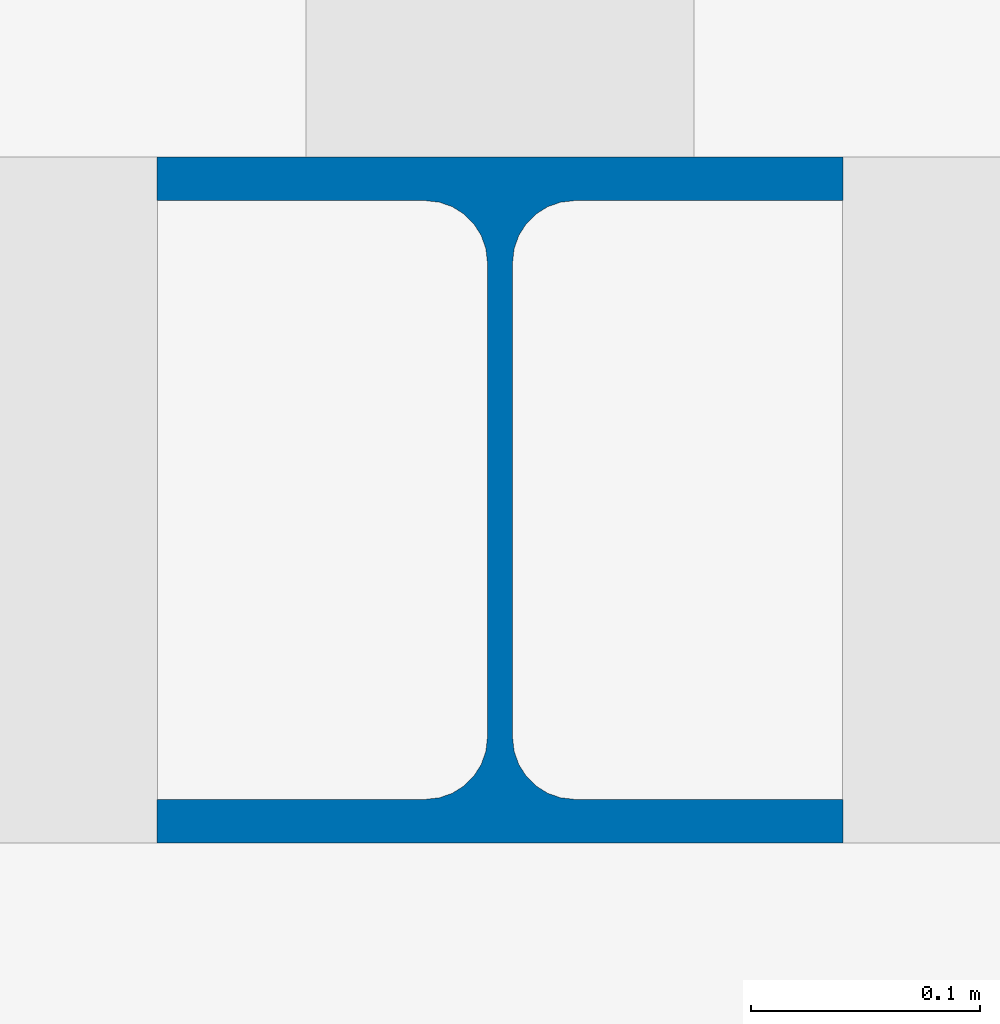
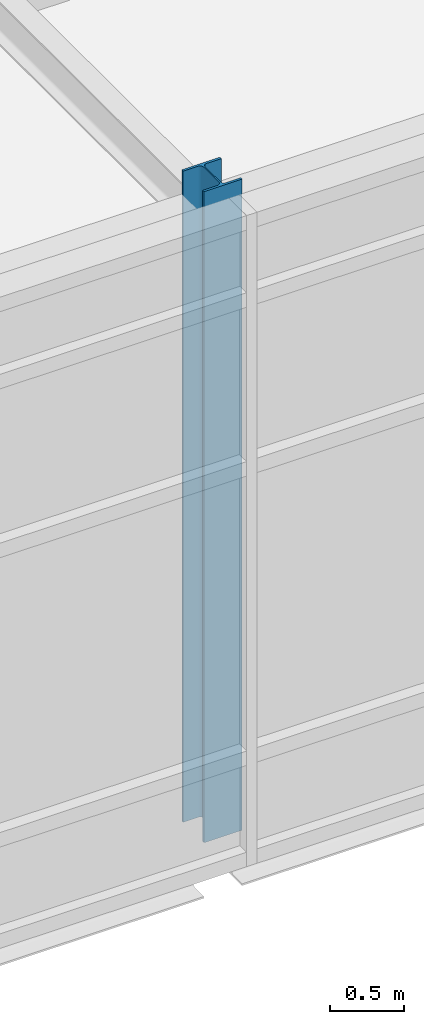
# One storey, part 5 of 46: 1 column.
"""IFC4 building model written with IfcOpenShell, lengths in metres."""

import ifcopenshell
import ifcopenshell.guid

model = None  # the IFC model being written
_history = None  # IfcOwnerHistory: only IFC2X3 demands one
_inside = {}  # id of a spatial element -> (the spatial element, [elements in it])
_under = {}  # id of a project, library or spatial element -> (it, [spatial elements below it])
_declared = {}  # id of a project -> (the project, [libraries it declares])
_typed = {}  # id of a type object -> (the type object, [elements of that type])
_made_of = {}  # id of a material, layer set ... -> (it, [elements and type objects made of it])


def new_model(schema):
    """Start an empty IFC model of exactly this schema.

    Asked for "IFC4X3", IfcOpenShell would pick the latest addendum, in which some entities
    have other attributes; the version numbers below select the first issue.
    IFC2X3 requires an IfcOwnerHistory on every rooted entity: one is made here for all.
    """
    global model, _history
    if schema == "IFC4X3":
        model = ifcopenshell.file(schema_version=(4, 3, 0, 0))
    else:
        model = ifcopenshell.file(schema=schema)
    _inside.clear()
    _under.clear()
    _declared.clear()
    _typed.clear()
    _made_of.clear()
    _history = None
    if model.schema == "IFC2X3":
        org = make("IfcOrganization", Name="unknown")
        user = make(
            "IfcPersonAndOrganization",
            ThePerson=make("IfcPerson", FamilyName="unknown"),
            TheOrganization=org,
        )
        app = make(
            "IfcApplication",
            ApplicationDeveloper=org,
            Version="unknown",
            ApplicationFullName="unknown",
            ApplicationIdentifier="unknown",
        )
        _history = make(
            "IfcOwnerHistory",
            OwningUser=user,
            OwningApplication=app,
            ChangeAction="ADDED",
            CreationDate=0,
        )
    return model


def make(cls, **values):
    """One entity of the class cls with the attributes given. An attribute that is None is left unset."""
    return model.create_entity(
        cls, **{name: value for name, value in values.items() if value is not None}
    )


def rooted(cls, **values):
    """An entity with a GlobalId (a new one), such as an element, a storey or a relation."""
    return make(cls, GlobalId=ifcopenshell.guid.new(), OwnerHistory=_history, **values)


def si_unit(unit_type, name, prefix=None):
    """IfcSIUnit, for example si_unit("LENGTHUNIT", "METRE", prefix="MILLI")."""
    return make("IfcSIUnit", UnitType=unit_type, Prefix=prefix, Name=name)


def assignment(units):
    """IfcUnitAssignment: the units of a project."""
    return None if units is None else make("IfcUnitAssignment", Units=units)


def point(xyz):
    """IfcCartesianPoint."""
    return None if xyz is None else make("IfcCartesianPoint", Coordinates=xyz)


def direction(xyz):
    """IfcDirection."""
    return None if xyz is None else make("IfcDirection", DirectionRatios=xyz)


def frame(location, z_axis=None, x_axis=None):
    """IfcAxis2Placement3D, a coordinate frame: its origin and axes. An axis left out is left unset."""
    return make(
        "IfcAxis2Placement3D",
        Location=point(location),
        Axis=direction(z_axis),
        RefDirection=direction(x_axis),
    )


def frame_2d(location, x_axis=None):
    """IfcAxis2Placement2D, a coordinate frame in the plane: its origin and x axis."""
    return make(
        "IfcAxis2Placement2D", Location=point(location), RefDirection=direction(x_axis)
    )


def origin():
    """The frame at (0, 0, 0) with its axes left unset."""
    return frame((0.0, 0.0, 0.0))


def origin_2d():
    """The frame at (0, 0) in the plane with its x axis left unset."""
    return frame_2d((0.0, 0.0))


def place(relative_to, where):
    """IfcLocalPlacement: puts the frame where relative to a parent placement (None: the world)."""
    return make(
        "IfcLocalPlacement", PlacementRelTo=relative_to, RelativePlacement=where
    )


def context(
    kind, dimensions, precision=None, world=None, true_north=None, identifier=None
):
    """IfcGeometricRepresentationContext, for example the 3D "Model" context."""
    return make(
        "IfcGeometricRepresentationContext",
        ContextIdentifier=identifier,
        ContextType=kind,
        CoordinateSpaceDimension=dimensions,
        Precision=precision,
        WorldCoordinateSystem=world,
        TrueNorth=true_north,
    )


def subcontext(parent, identifier, kind, view, scale=None):
    """IfcGeometricRepresentationSubContext, for example "Body" below "Model"."""
    return make(
        "IfcGeometricRepresentationSubContext",
        ContextIdentifier=identifier,
        ContextType=kind,
        ParentContext=parent,
        TargetScale=scale,
        TargetView=view,
    )


def project(units=None, contexts=None):
    """IfcProject with its units and contexts."""
    return rooted(
        "IfcProject",
        Name="project",
        RepresentationContexts=contexts,
        UnitsInContext=assignment(units),
    )


def spatial(cls, under=None, at=None, **own):
    """A site, building, storey or space (cls), placed at a placement, below another one or the project."""
    s = rooted(cls, ObjectPlacement=at, **own)
    if under is not None:
        _under.setdefault(under.id(), (under, []))[1].append(s)
    return s


def profile(cls, at=None, kind="AREA", **sizes):
    """A parametric profile (cls). Its sizes go by their IFC names, for example OverallWidth=200.0."""
    return make(cls, ProfileType=kind, Position=at, **sizes)


def i_section(**sizes):
    """IfcIShapeProfileDef."""
    return profile("IfcIShapeProfileDef", **sizes)


def extrude(swept, where, along, depth):
    """IfcExtrudedAreaSolid: the profile swept, set in the frame where, extruded along a direction by depth."""
    return make(
        "IfcExtrudedAreaSolid",
        SweptArea=swept,
        Position=where,
        ExtrudedDirection=direction(along),
        Depth=depth,
    )


def shape(context_of_items, identifier, shape_type, items):
    """IfcShapeRepresentation: the items that make up one representation, for example the "Body"."""
    return make(
        "IfcShapeRepresentation",
        ContextOfItems=context_of_items,
        RepresentationIdentifier=identifier,
        RepresentationType=shape_type,
        Items=items,
    )


def material(Name=None, Category=None):
    """IfcMaterial."""
    return make("IfcMaterial", Name=Name, Category=Category)


def material_profile(
    of_material, cross_section, Name=None, Category=None, Priority=None
):
    """IfcMaterialProfile: a cross section and its material."""
    return make(
        "IfcMaterialProfile",
        Name=Name,
        Material=of_material,
        Profile=cross_section,
        Priority=Priority,
        Category=Category,
    )


def profile_set(profiles, Name=None, composite=None):
    """IfcMaterialProfileSet."""
    return make(
        "IfcMaterialProfileSet",
        Name=Name,
        MaterialProfiles=profiles,
        CompositeProfile=composite,
    )


def made_of(thing, what):
    """Note that an element or type object is made of a material, layer set ...; save() writes the relation."""
    if what is not None:
        _made_of.setdefault(what.id(), (what, []))[1].append(thing)
    return thing


def type_object(cls, material=None, **own):
    """A type object (cls), such as IfcWallType, which elements share."""
    return made_of(rooted(cls, **own), material)


def element(
    cls,
    number,
    at=None,
    inside=None,
    cuts=None,
    type_object=None,
    material=None,
    context=None,
    identifier="Body",
    shape_type=None,
    held_by="IfcProductDefinitionShape",
    body=None,
    shapes=None,
    **own,
):
    """One element of the class cls, such as IfcWall. Its Tag is "e" and its number.

    at: its placement. inside: the storey or other place that contains it. cuts: it is an
    opening in that element (IfcRelVoidsElement). A single representation is given by context,
    identifier, shape_type and body (its items); several are given by shapes. held_by: the class
    of the entity that holds the representations. save() writes the other relations.
    """
    e = rooted(cls, Tag="e%d" % number, ObjectPlacement=at, **own)
    if body is not None:
        shapes = [shape(context, identifier, shape_type, body)]
    if shapes is not None:
        e.Representation = make(held_by, Representations=shapes)
    if inside is not None:
        _inside.setdefault(inside.id(), (inside, []))[1].append(e)
    if cuts is not None:
        rooted(
            "IfcRelVoidsElement", RelatingBuildingElement=cuts, RelatedOpeningElement=e
        )
    if type_object is not None:
        _typed.setdefault(type_object.id(), (type_object, []))[1].append(e)
    return made_of(e, material)


def aggregate(whole, parts):
    """IfcRelAggregates: a whole, such as a stair, and the parts it consists of."""
    return rooted("IfcRelAggregates", RelatingObject=whole, RelatedObjects=parts)


def save(model, path):
    """Write the relations noted so far, then the file.

    IfcRelAggregates (storeys below a building ...), IfcRelContainedInSpatialStructure (elements
    in a storey), IfcRelDefinesByType, IfcRelAssociatesMaterial and IfcRelDeclares: one each for
    every whole, place, type object, material and project.
    """
    for whole, parts in _under.values():
        aggregate(whole, parts)
    for where, things in _inside.values():
        rooted(
            "IfcRelContainedInSpatialStructure",
            RelatedElements=things,
            RelatingStructure=where,
        )
    for kind, things in _typed.values():
        rooted("IfcRelDefinesByType", RelatedObjects=things, RelatingType=kind)
    for what, things in _made_of.values():
        rooted("IfcRelAssociatesMaterial", RelatedObjects=things, RelatingMaterial=what)
    for by, libraries in _declared.values():
        rooted("IfcRelDeclares", RelatingContext=by, RelatedDefinitions=libraries)
    model.write(path)


model = new_model("IFC4")

# Units and contexts
model_context = context("Model", 3, precision=1e-05, world=origin(), true_north=direction((0.0, 1.0)))
body_context = subcontext(model_context, "Body", "Model", "MODEL_VIEW")
ifc_project = project(units=[si_unit("LENGTHUNIT", "METRE"), si_unit("AREAUNIT", "SQUARE_METRE"), si_unit("VOLUMEUNIT", "CUBIC_METRE"), si_unit("PLANEANGLEUNIT", "RADIAN"), si_unit("MASSUNIT", "GRAM", prefix="KILO")], contexts=[model_context])

# Site, building, storey
site_placement = place(None, origin())
site = spatial("IfcSite", under=ifc_project, at=site_placement, CompositionType="ELEMENT")
building_placement = place(site_placement, origin())
building = spatial("IfcBuilding", under=site, at=building_placement, Name="Azimuth Sports and Learning Centre", CompositionType="ELEMENT")
storey_placement = place(building_placement, frame((0.0, 0.0, 21.60009765625)))
storey = spatial("IfcBuildingStorey", under=building, at=storey_placement, Name="L04", CompositionType="ELEMENT", Elevation=21.60009765625)

# Column
ifc_material = material(Name="Steel S355", Category="steel")
ifc_material_profile = material_profile(ifc_material, i_section(OverallWidth=0.300048828125, OverallDepth=0.300048828125, WebThickness=0.010986328125, FlangeThickness=0.01904296875, FilletRadius=0.027099609375, at=origin_2d()), Name="HEB 300")
ifc_profile_set = profile_set([ifc_material_profile], Name="Steel S355")
column_type = type_object("IfcColumnType", Name="Column HEB 300", PredefinedType="COLUMN", material=ifc_profile_set)
column_placement = place(storey_placement, frame((126.0, 90.0, 0.0), z_axis=(0.0, 0.0, 1.0), x_axis=(1.0, 0.0, 0.0)))
element("IfcColumn", 1, at=column_placement, inside=storey, type_object=column_type, Name="Column 15L L04", PredefinedType="COLUMN", context=body_context, shape_type="SweptSolid", body=[
    extrude(i_section(OverallWidth=0.300048828125, OverallDepth=0.300048828125, WebThickness=0.010986328125, FlangeThickness=0.01904296875, FilletRadius=0.027099609375, at=origin_2d()), origin(), (0.0, 0.0, 1.0), 5.39990234375),
])

save(model, "model.ifc")
